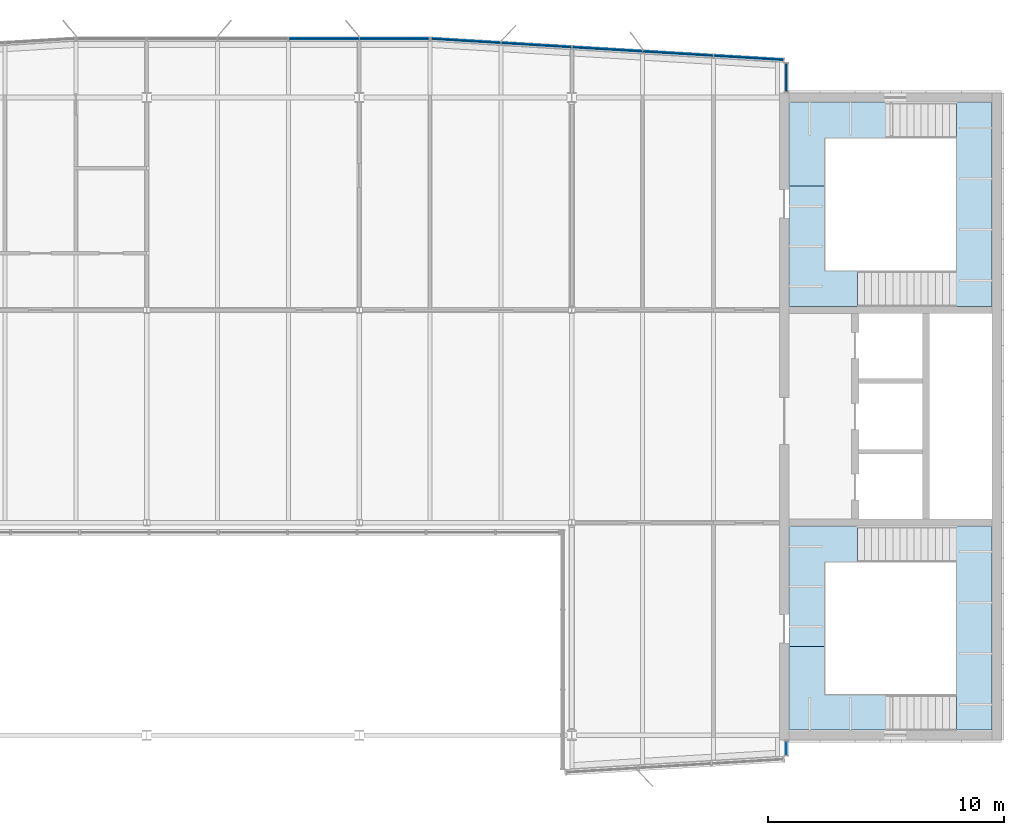
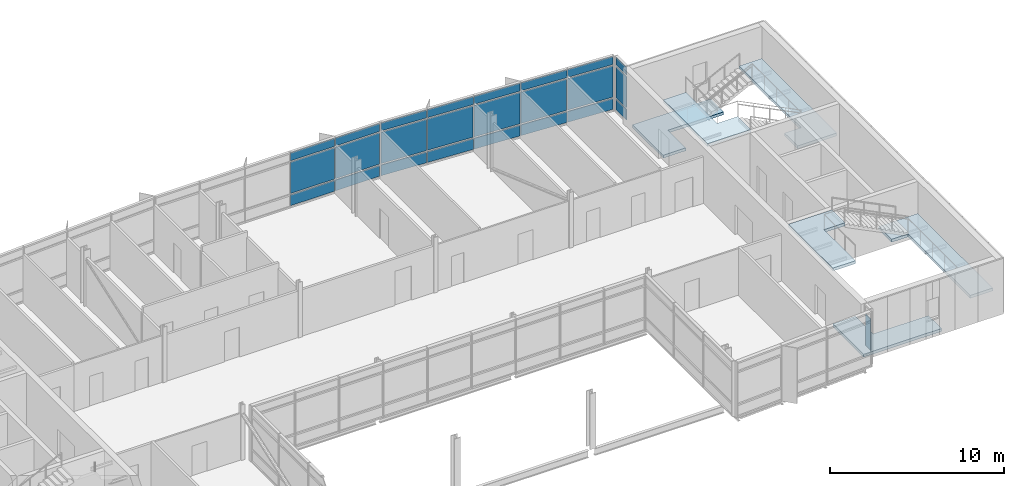
# One storey, part 13 of 20: 25 plates, 6 slabs, 6 elements without a shape of their own.
"""IFC4 building model written with IfcOpenShell, lengths in metres."""

import ifcopenshell
import ifcopenshell.guid

model = None  # the IFC model being written
_history = None  # IfcOwnerHistory: only IFC2X3 demands one
_inside = {}  # id of a spatial element -> (the spatial element, [elements in it])
_under = {}  # id of a project, library or spatial element -> (it, [spatial elements below it])
_declared = {}  # id of a project -> (the project, [libraries it declares])
_typed = {}  # id of a type object -> (the type object, [elements of that type])
_made_of = {}  # id of a material, layer set ... -> (it, [elements and type objects made of it])


def new_model(schema):
    """Start an empty IFC model of exactly this schema.

    Asked for "IFC4X3", IfcOpenShell would pick the latest addendum, in which some entities
    have other attributes; the version numbers below select the first issue.
    IFC2X3 requires an IfcOwnerHistory on every rooted entity: one is made here for all.
    """
    global model, _history
    if schema == "IFC4X3":
        model = ifcopenshell.file(schema_version=(4, 3, 0, 0))
    else:
        model = ifcopenshell.file(schema=schema)
    _inside.clear()
    _under.clear()
    _declared.clear()
    _typed.clear()
    _made_of.clear()
    _history = None
    if model.schema == "IFC2X3":
        org = make("IfcOrganization", Name="unknown")
        user = make(
            "IfcPersonAndOrganization",
            ThePerson=make("IfcPerson", FamilyName="unknown"),
            TheOrganization=org,
        )
        app = make(
            "IfcApplication",
            ApplicationDeveloper=org,
            Version="unknown",
            ApplicationFullName="unknown",
            ApplicationIdentifier="unknown",
        )
        _history = make(
            "IfcOwnerHistory",
            OwningUser=user,
            OwningApplication=app,
            ChangeAction="ADDED",
            CreationDate=0,
        )
    return model


def make(cls, **values):
    """One entity of the class cls with the attributes given. An attribute that is None is left unset."""
    return model.create_entity(
        cls, **{name: value for name, value in values.items() if value is not None}
    )


def rooted(cls, **values):
    """An entity with a GlobalId (a new one), such as an element, a storey or a relation."""
    return make(cls, GlobalId=ifcopenshell.guid.new(), OwnerHistory=_history, **values)


def si_unit(unit_type, name, prefix=None):
    """IfcSIUnit, for example si_unit("LENGTHUNIT", "METRE", prefix="MILLI")."""
    return make("IfcSIUnit", UnitType=unit_type, Prefix=prefix, Name=name)


def assignment(units):
    """IfcUnitAssignment: the units of a project."""
    return None if units is None else make("IfcUnitAssignment", Units=units)


def point(xyz):
    """IfcCartesianPoint."""
    return None if xyz is None else make("IfcCartesianPoint", Coordinates=xyz)


def direction(xyz):
    """IfcDirection."""
    return None if xyz is None else make("IfcDirection", DirectionRatios=xyz)


def frame(location, z_axis=None, x_axis=None):
    """IfcAxis2Placement3D, a coordinate frame: its origin and axes. An axis left out is left unset."""
    return make(
        "IfcAxis2Placement3D",
        Location=point(location),
        Axis=direction(z_axis),
        RefDirection=direction(x_axis),
    )


def frame_2d(location, x_axis=None):
    """IfcAxis2Placement2D, a coordinate frame in the plane: its origin and x axis."""
    return make(
        "IfcAxis2Placement2D", Location=point(location), RefDirection=direction(x_axis)
    )


def origin():
    """The frame at (0, 0, 0) with its axes left unset."""
    return frame((0.0, 0.0, 0.0))


def origin_2d():
    """The frame at (0, 0) in the plane with its x axis left unset."""
    return frame_2d((0.0, 0.0))


def place(relative_to, where):
    """IfcLocalPlacement: puts the frame where relative to a parent placement (None: the world)."""
    return make(
        "IfcLocalPlacement", PlacementRelTo=relative_to, RelativePlacement=where
    )


def context(
    kind, dimensions, precision=None, world=None, true_north=None, identifier=None
):
    """IfcGeometricRepresentationContext, for example the 3D "Model" context."""
    return make(
        "IfcGeometricRepresentationContext",
        ContextIdentifier=identifier,
        ContextType=kind,
        CoordinateSpaceDimension=dimensions,
        Precision=precision,
        WorldCoordinateSystem=world,
        TrueNorth=true_north,
    )


def subcontext(parent, identifier, kind, view, scale=None):
    """IfcGeometricRepresentationSubContext, for example "Body" below "Model"."""
    return make(
        "IfcGeometricRepresentationSubContext",
        ContextIdentifier=identifier,
        ContextType=kind,
        ParentContext=parent,
        TargetScale=scale,
        TargetView=view,
    )


def project(units=None, contexts=None):
    """IfcProject with its units and contexts."""
    return rooted(
        "IfcProject",
        Name="project",
        RepresentationContexts=contexts,
        UnitsInContext=assignment(units),
    )


def spatial(cls, under=None, at=None, **own):
    """A site, building, storey or space (cls), placed at a placement, below another one or the project."""
    s = rooted(cls, ObjectPlacement=at, **own)
    if under is not None:
        _under.setdefault(under.id(), (under, []))[1].append(s)
    return s


def polyline(points):
    """IfcPolyline through the points."""
    return make("IfcPolyline", Points=[point(p) for p in points])


def profile(cls, at=None, kind="AREA", **sizes):
    """A parametric profile (cls). Its sizes go by their IFC names, for example OverallWidth=200.0."""
    return make(cls, ProfileType=kind, Position=at, **sizes)


def rectangle(**sizes):
    """IfcRectangleProfileDef."""
    return profile("IfcRectangleProfileDef", **sizes)


def outline(outer, holes=None, kind="AREA"):
    """IfcArbitraryClosedProfileDef: a profile drawn as a closed curve; with holes, ...WithVoids."""
    if holes is None:
        return make("IfcArbitraryClosedProfileDef", ProfileType=kind, OuterCurve=outer)
    return make(
        "IfcArbitraryProfileDefWithVoids",
        ProfileType=kind,
        OuterCurve=outer,
        InnerCurves=holes,
    )


def extrude(swept, where, along, depth):
    """IfcExtrudedAreaSolid: the profile swept, set in the frame where, extruded along a direction by depth."""
    return make(
        "IfcExtrudedAreaSolid",
        SweptArea=swept,
        Position=where,
        ExtrudedDirection=direction(along),
        Depth=depth,
    )


def shape(context_of_items, identifier, shape_type, items):
    """IfcShapeRepresentation: the items that make up one representation, for example the "Body"."""
    return make(
        "IfcShapeRepresentation",
        ContextOfItems=context_of_items,
        RepresentationIdentifier=identifier,
        RepresentationType=shape_type,
        Items=items,
    )


def material(Name=None, Category=None):
    """IfcMaterial."""
    return make("IfcMaterial", Name=Name, Category=Category)


def layer(
    of_material, thickness, ventilated=None, Name=None, Category=None, Priority=None
):
    """IfcMaterialLayer: one layer of a wall or slab, of a material (None: an air gap)."""
    return make(
        "IfcMaterialLayer",
        Material=of_material,
        LayerThickness=thickness,
        IsVentilated=ventilated,
        Name=Name,
        Category=Category,
        Priority=Priority,
    )


def layer_set(layers, Name=None):
    """IfcMaterialLayerSet."""
    return make("IfcMaterialLayerSet", MaterialLayers=layers, LayerSetName=Name)


def made_of(thing, what):
    """Note that an element or type object is made of a material, layer set ...; save() writes the relation."""
    if what is not None:
        _made_of.setdefault(what.id(), (what, []))[1].append(thing)
    return thing


def type_object(cls, material=None, **own):
    """A type object (cls), such as IfcWallType, which elements share."""
    return made_of(rooted(cls, **own), material)


def element(
    cls,
    number,
    at=None,
    inside=None,
    cuts=None,
    type_object=None,
    material=None,
    context=None,
    identifier="Body",
    shape_type=None,
    held_by="IfcProductDefinitionShape",
    body=None,
    shapes=None,
    **own,
):
    """One element of the class cls, such as IfcWall. Its Tag is "e" and its number.

    at: its placement. inside: the storey or other place that contains it. cuts: it is an
    opening in that element (IfcRelVoidsElement). A single representation is given by context,
    identifier, shape_type and body (its items); several are given by shapes. held_by: the class
    of the entity that holds the representations. save() writes the other relations.
    """
    e = rooted(cls, Tag="e%d" % number, ObjectPlacement=at, **own)
    if body is not None:
        shapes = [shape(context, identifier, shape_type, body)]
    if shapes is not None:
        e.Representation = make(held_by, Representations=shapes)
    if inside is not None:
        _inside.setdefault(inside.id(), (inside, []))[1].append(e)
    if cuts is not None:
        rooted(
            "IfcRelVoidsElement", RelatingBuildingElement=cuts, RelatedOpeningElement=e
        )
    if type_object is not None:
        _typed.setdefault(type_object.id(), (type_object, []))[1].append(e)
    return made_of(e, material)


def aggregate(whole, parts):
    """IfcRelAggregates: a whole, such as a stair, and the parts it consists of."""
    return rooted("IfcRelAggregates", RelatingObject=whole, RelatedObjects=parts)


def save(model, path):
    """Write the relations noted so far, then the file.

    IfcRelAggregates (storeys below a building ...), IfcRelContainedInSpatialStructure (elements
    in a storey), IfcRelDefinesByType, IfcRelAssociatesMaterial and IfcRelDeclares: one each for
    every whole, place, type object, material and project.
    """
    for whole, parts in _under.values():
        aggregate(whole, parts)
    for where, things in _inside.values():
        rooted(
            "IfcRelContainedInSpatialStructure",
            RelatedElements=things,
            RelatingStructure=where,
        )
    for kind, things in _typed.values():
        rooted("IfcRelDefinesByType", RelatedObjects=things, RelatingType=kind)
    for what, things in _made_of.values():
        rooted("IfcRelAssociatesMaterial", RelatedObjects=things, RelatingMaterial=what)
    for by, libraries in _declared.values():
        rooted("IfcRelDeclares", RelatingContext=by, RelatedDefinitions=libraries)
    model.write(path)


model = new_model("IFC4")

# Units and contexts
model_context = context("Model", 3, precision=1e-05, world=origin(), true_north=direction((0.0, 1.0)))
body_context = subcontext(model_context, "Body", "Model", "MODEL_VIEW")
ifc_project = project(units=[si_unit("LENGTHUNIT", "METRE"), si_unit("AREAUNIT", "SQUARE_METRE"), si_unit("VOLUMEUNIT", "CUBIC_METRE"), si_unit("PLANEANGLEUNIT", "RADIAN"), si_unit("MASSUNIT", "GRAM", prefix="KILO")], contexts=[model_context])

# Site, building, storey
site_placement = place(None, origin())
site = spatial("IfcSite", under=ifc_project, at=site_placement, CompositionType="ELEMENT")
building_placement = place(site_placement, origin())
building = spatial("IfcBuilding", under=site, at=building_placement, Name="Azimuth Sports and Learning Centre", CompositionType="ELEMENT")
storey_placement = place(building_placement, frame((0.0, 0.0, 71.39990234375)))
storey = spatial("IfcBuildingStorey", under=building, at=storey_placement, Name="L16", CompositionType="ELEMENT", Elevation=71.39990234375)

# Stair, slabs
ifc_material_1 = material(Name="Concrete C32/40", Category="concrete")
stair_type = type_object("IfcStairType", Name="Square-well stair core 3900 storey", PredefinedType="THREE_QUARTER_TURN_STAIR", material=ifc_material_1)
stair_1_placement = place(storey_placement, origin())
stair_1 = element("IfcStair", 1, at=stair_1_placement, inside=storey, type_object=stair_type, Name="Stair E1 L16-L17", PredefinedType="THREE_QUARTER_TURN_STAIR")
ifc_material_2 = material(Name="Concrete C32/40", Category="concrete")
ifc_layer_1 = layer(ifc_material_2, 0.199951171875)
ifc_layer_set_1 = layer_set([ifc_layer_1], Name="Concrete C32/40")
slab_type = type_object("IfcSlabType", Name="Concrete stair landing", PredefinedType="LANDING", material=ifc_layer_set_1)
slab_1_placement = place(storey_placement, frame((0.0, 0.0, -0.199951171875)))
slab_1 = element("IfcSlab", 2, at=slab_1_placement, type_object=slab_type, Name="Stair E1 L16 landing 1", PredefinedType="LANDING", context=body_context, shape_type="SweptSolid", body=[
    extrude(outline(polyline([(113.389892578125, 91.7099609375), (109.7099609375, 91.7099609375), (109.7099609375, 93.75), (108.2099609375, 93.75), (108.2099609375, 90.2099609375), (113.389892578125, 90.2099609375), (113.389892578125, 91.7099609375)])), origin(), (0.0, 0.0, 1.0), 0.199951171875),
])
slab_2_placement = place(storey_placement, frame((0.0, 0.0, 1.4501953125)))
slab_2 = element("IfcSlab", 3, at=slab_2_placement, type_object=slab_type, Name="Stair E1 L16 landing 2", PredefinedType="LANDING", context=body_context, shape_type="SweptSolid", body=[
    extrude(outline(polyline([(115.2900390625, 91.7099609375), (115.289306640625, 91.7099609375), (115.289306640625, 90.2099609375), (116.7900390625, 90.2099609375), (116.7900390625, 98.840087890625), (114.18994140625, 98.840087890625), (114.18994140625, 97.340087890625), (115.2900390625, 97.340087890625), (115.2900390625, 91.7099609375)])), origin(), (0.0, 0.0, 1.0), 0.199951171875),
])
slab_3_placement = place(storey_placement, frame((0.0, 0.0, 3.7001953125)))
slab_3 = element("IfcSlab", 4, at=slab_3_placement, type_object=slab_type, Name="Stair E1 L16 landing 3", PredefinedType="LANDING", context=body_context, shape_type="SweptSolid", body=[
    extrude(outline(polyline([(109.7099609375, 97.340087890625), (111.0908203125, 97.340087890625), (111.0908203125, 98.840087890625), (108.2099609375, 98.840087890625), (108.2099609375, 93.75), (109.7099609375, 93.75), (109.7099609375, 97.340087890625)])), origin(), (0.0, 0.0, 1.0), 0.199951171875),
])
aggregate(stair_1, [slab_1, slab_2, slab_3])

stair_2_placement = place(storey_placement, origin())
stair_2 = element("IfcStair", 5, at=stair_2_placement, inside=storey, type_object=stair_type, Name="Stair E2 L16-L17", PredefinedType="THREE_QUARTER_TURN_STAIR")
slab_4_placement = place(storey_placement, frame((0.0, 0.0, -0.199951171875)))
slab_4 = element("IfcSlab", 6, at=slab_4_placement, type_object=slab_type, Name="Stair E2 L16 landing 1", PredefinedType="LANDING", context=body_context, shape_type="SweptSolid", body=[
    extrude(outline(polyline([(108.2099609375, 116.7900390625), (108.2099609375, 113.25), (109.7099609375, 113.25), (109.7099609375, 115.2900390625), (113.389892578125, 115.2900390625), (113.389892578125, 116.7900390625), (108.2099609375, 116.7900390625)])), origin(), (0.0, 0.0, 1.0), 0.199951171875),
])
slab_5_placement = place(storey_placement, frame((0.0, 0.0, 1.4501953125)))
slab_5 = element("IfcSlab", 7, at=slab_5_placement, type_object=slab_type, Name="Stair E2 L16 landing 2", PredefinedType="LANDING", context=body_context, shape_type="SweptSolid", body=[
    extrude(outline(polyline([(115.2900390625, 115.2900390625), (115.2900390625, 109.659912109375), (114.18994140625, 109.659912109375), (114.18994140625, 108.159912109375), (116.7900390625, 108.159912109375), (116.7900390625, 116.7900390625), (115.289306640625, 116.7900390625), (115.289306640625, 115.2900390625), (115.2900390625, 115.2900390625)])), origin(), (0.0, 0.0, 1.0), 0.199951171875),
])
slab_6_placement = place(storey_placement, frame((0.0, 0.0, 3.7001953125)))
slab_6 = element("IfcSlab", 8, at=slab_6_placement, type_object=slab_type, Name="Stair E2 L16 landing 3", PredefinedType="LANDING", context=body_context, shape_type="SweptSolid", body=[
    extrude(outline(polyline([(109.7099609375, 109.659912109375), (109.7099609375, 113.25), (108.2099609375, 113.25), (108.2099609375, 108.159912109375), (111.0908203125, 108.159912109375), (111.0908203125, 109.659912109375), (109.7099609375, 109.659912109375)])), origin(), (0.0, 0.0, 1.0), 0.199951171875),
])
aggregate(stair_2, [slab_4, slab_5, slab_6])

# Curtain wall, plates
ifc_material_3 = material(Name="Aluminium and glass", Category="aluminium")
curtain_wall_type_1 = type_object("IfcCurtainWallType", Name="Curtain wall tower return 180", PredefinedType="NOTDEFINED", material=ifc_material_3)
curtain_wall_1_placement = place(storey_placement, origin())
curtain_wall_1 = element("IfcCurtainWall", 9, at=curtain_wall_1_placement, inside=storey, type_object=curtain_wall_type_1, Name="Curtain wall CW16-008", PredefinedType="NOTDEFINED")
ifc_material_4 = material(Name="Insulated aluminium panel", Category="aluminium")
ifc_layer_2 = layer(ifc_material_4, 0.050048828125)
ifc_layer_set_2 = layer_set([ifc_layer_2], Name="Insulated aluminium panel")
plate_type_1 = type_object("IfcPlateType", Name="Spandrel panel 50 mm", PredefinedType="CURTAIN_PANEL", material=ifc_layer_set_2)
plate_1_placement = place(storey_placement, frame((108.090087890625, 117.85009765625, 0.10009765625), z_axis=(0.0, 0.0, 1.0), x_axis=(0.0, 1.0, 0.0)))
plate_1 = element("IfcPlate", 10, at=plate_1_placement, type_object=plate_type_1, Name="CW16-008 panel 1.1", PredefinedType="CURTAIN_PANEL", context=body_context, shape_type="SweptSolid", body=[
    extrude(rectangle(XDim=1.179931640625, YDim=0.050048828125, at=origin_2d()), origin(), (0.0, 0.0, 1.0), 0.75),
])
plate_2_placement = place(storey_placement, frame((108.090087890625, 117.85009765625, 3.25), z_axis=(0.0, 0.0, 1.0), x_axis=(0.0, 1.0, 0.0)))
plate_2 = element("IfcPlate", 11, at=plate_2_placement, type_object=plate_type_1, Name="CW16-008 panel 1.3", PredefinedType="CURTAIN_PANEL", context=body_context, shape_type="SweptSolid", body=[
    extrude(rectangle(XDim=1.179931640625, YDim=0.050048828125, at=origin_2d()), origin(), (0.0, 0.0, 1.0), 0.550048828125),
])

ifc_material_5 = material(Name="Aluminium and glass", Category="aluminium")
curtain_wall_type_2 = type_object("IfcCurtainWallType", Name="Curtain wall tower north 180", PredefinedType="NOTDEFINED", material=ifc_material_5)
curtain_wall_2_placement = place(storey_placement, origin())
curtain_wall_2 = element("IfcCurtainWall", 12, at=curtain_wall_2_placement, inside=storey, type_object=curtain_wall_type_2, Name="Curtain wall CW16-009", PredefinedType="NOTDEFINED")
plate_3_placement = place(storey_placement, frame((106.490478515625, 118.6806640625, 0.10009765625), z_axis=(0.0, 0.0, 1.0), x_axis=(-0.998204863401, 0.059891991812, 0.0)))
plate_3 = element("IfcPlate", 13, at=plate_3_placement, type_object=plate_type_1, Name="CW16-009 panel 1.1", PredefinedType="CURTAIN_PANEL", context=body_context, shape_type="SweptSolid", body=[
    extrude(rectangle(XDim=2.915283203125, YDim=0.050048828125, at=origin_2d()), origin(), (0.0, 0.0, 1.0), 0.75),
])
plate_4_placement = place(storey_placement, frame((106.490478515625, 118.6806640625, 3.25), z_axis=(0.0, 0.0, 1.0), x_axis=(-0.998204863401, 0.059891991812, 0.0)))
plate_4 = element("IfcPlate", 14, at=plate_4_placement, type_object=plate_type_1, Name="CW16-009 panel 1.3", PredefinedType="CURTAIN_PANEL", context=body_context, shape_type="SweptSolid", body=[
    extrude(rectangle(XDim=2.915283203125, YDim=0.050048828125, at=origin_2d()), origin(), (0.0, 0.0, 1.0), 0.550048828125),
])
plate_5_placement = place(storey_placement, frame((103.50537109375, 118.85986328125, 0.10009765625), z_axis=(0.0, 0.0, 1.0), x_axis=(-0.998204863401, 0.059891991812, 0.0)))
plate_5 = element("IfcPlate", 15, at=plate_5_placement, type_object=plate_type_1, Name="CW16-009 panel 2.1", PredefinedType="CURTAIN_PANEL", context=body_context, shape_type="SweptSolid", body=[
    extrude(rectangle(XDim=2.9453125, YDim=0.050048828125, at=origin_2d()), origin(), (0.0, 0.0, 1.0), 0.75),
])
plate_6_placement = place(storey_placement, frame((103.50537109375, 118.85986328125, 3.25), z_axis=(0.0, 0.0, 1.0), x_axis=(-0.998204863401, 0.059891991812, 0.0)))
plate_6 = element("IfcPlate", 16, at=plate_6_placement, type_object=plate_type_1, Name="CW16-009 panel 2.3", PredefinedType="CURTAIN_PANEL", context=body_context, shape_type="SweptSolid", body=[
    extrude(rectangle(XDim=2.9453125, YDim=0.050048828125, at=origin_2d()), origin(), (0.0, 0.0, 1.0), 0.550048828125),
])
plate_7_placement = place(storey_placement, frame((100.50537109375, 119.039794921875, 0.10009765625), z_axis=(0.0, 0.0, 1.0), x_axis=(-0.998204863401, 0.059891991812, 0.0)))
plate_7 = element("IfcPlate", 17, at=plate_7_placement, type_object=plate_type_1, Name="CW16-009 panel 3.1", PredefinedType="CURTAIN_PANEL", context=body_context, shape_type="SweptSolid", body=[
    extrude(rectangle(XDim=2.9453125, YDim=0.050048828125, at=origin_2d()), origin(), (0.0, 0.0, 1.0), 0.75),
])
plate_8_placement = place(storey_placement, frame((100.50537109375, 119.039794921875, 3.25), z_axis=(0.0, 0.0, 1.0), x_axis=(-0.998204863401, 0.059891991812, 0.0)))
plate_8 = element("IfcPlate", 18, at=plate_8_placement, type_object=plate_type_1, Name="CW16-009 panel 3.3", PredefinedType="CURTAIN_PANEL", context=body_context, shape_type="SweptSolid", body=[
    extrude(rectangle(XDim=2.9453125, YDim=0.050048828125, at=origin_2d()), origin(), (0.0, 0.0, 1.0), 0.550048828125),
])
plate_9_placement = place(storey_placement, frame((97.50537109375, 119.2197265625, 0.10009765625), z_axis=(0.0, 0.0, 1.0), x_axis=(-0.998204863401, 0.059891991812, 0.0)))
plate_9 = element("IfcPlate", 19, at=plate_9_placement, type_object=plate_type_1, Name="CW16-009 panel 4.1", PredefinedType="CURTAIN_PANEL", context=body_context, shape_type="SweptSolid", body=[
    extrude(rectangle(XDim=2.9453125, YDim=0.050048828125, at=origin_2d()), origin(), (0.0, 0.0, 1.0), 0.75),
])
plate_10_placement = place(storey_placement, frame((97.50537109375, 119.2197265625, 3.25), z_axis=(0.0, 0.0, 1.0), x_axis=(-0.998204863401, 0.059891991812, 0.0)))
plate_10 = element("IfcPlate", 20, at=plate_10_placement, type_object=plate_type_1, Name="CW16-009 panel 4.3", PredefinedType="CURTAIN_PANEL", context=body_context, shape_type="SweptSolid", body=[
    extrude(rectangle(XDim=2.9453125, YDim=0.050048828125, at=origin_2d()), origin(), (0.0, 0.0, 1.0), 0.550048828125),
])
plate_11_placement = place(storey_placement, frame((94.520263671875, 119.39892578125, 0.10009765625), z_axis=(0.0, 0.0, 1.0), x_axis=(-0.998204863401, 0.059891991812, 0.0)))
plate_11 = element("IfcPlate", 21, at=plate_11_placement, type_object=plate_type_1, Name="CW16-009 panel 5.1", PredefinedType="CURTAIN_PANEL", context=body_context, shape_type="SweptSolid", body=[
    extrude(rectangle(XDim=2.915283203125, YDim=0.050048828125, at=origin_2d()), origin(), (0.0, 0.0, 1.0), 0.75),
])
plate_12_placement = place(storey_placement, frame((94.520263671875, 119.39892578125, 3.25), z_axis=(0.0, 0.0, 1.0), x_axis=(-0.998204863401, 0.059891991812, 0.0)))
plate_12 = element("IfcPlate", 22, at=plate_12_placement, type_object=plate_type_1, Name="CW16-009 panel 5.3", PredefinedType="CURTAIN_PANEL", context=body_context, shape_type="SweptSolid", body=[
    extrude(rectangle(XDim=2.915283203125, YDim=0.050048828125, at=origin_2d()), origin(), (0.0, 0.0, 1.0), 0.550048828125),
])

curtain_wall_3_placement = place(storey_placement, origin())
curtain_wall_3 = element("IfcCurtainWall", 23, at=curtain_wall_3_placement, inside=storey, type_object=curtain_wall_type_2, Name="Curtain wall CW16-010", PredefinedType="NOTDEFINED")
plate_13_placement = place(storey_placement, frame((91.48779296875, 119.489990234375, 0.10009765625), z_axis=(0.0, 0.0, 1.0), x_axis=(-1.0, 0.0, 0.0)))
plate_13 = element("IfcPlate", 24, at=plate_13_placement, type_object=plate_type_1, Name="CW16-010 panel 1.1", PredefinedType="CURTAIN_PANEL", context=body_context, shape_type="SweptSolid", body=[
    extrude(rectangle(XDim=2.915283203125, YDim=0.050048828125, at=origin_2d()), origin(), (0.0, 0.0, 1.0), 0.75),
])
plate_14_placement = place(storey_placement, frame((91.48779296875, 119.489990234375, 3.25), z_axis=(0.0, 0.0, 1.0), x_axis=(-1.0, 0.0, 0.0)))
plate_14 = element("IfcPlate", 25, at=plate_14_placement, type_object=plate_type_1, Name="CW16-010 panel 1.3", PredefinedType="CURTAIN_PANEL", context=body_context, shape_type="SweptSolid", body=[
    extrude(rectangle(XDim=2.915283203125, YDim=0.050048828125, at=origin_2d()), origin(), (0.0, 0.0, 1.0), 0.550048828125),
])
plate_15_placement = place(storey_placement, frame((88.5, 119.489990234375, 0.10009765625), z_axis=(0.0, 0.0, 1.0), x_axis=(-1.0, 0.0, 0.0)))
plate_15 = element("IfcPlate", 26, at=plate_15_placement, type_object=plate_type_1, Name="CW16-010 panel 2.1", PredefinedType="CURTAIN_PANEL", context=body_context, shape_type="SweptSolid", body=[
    extrude(rectangle(XDim=2.93994140625, YDim=0.050048828125, at=origin_2d()), origin(), (0.0, 0.0, 1.0), 0.75),
])
plate_16_placement = place(storey_placement, frame((88.5, 119.489990234375, 3.25), z_axis=(0.0, 0.0, 1.0), x_axis=(-1.0, 0.0, 0.0)))
plate_16 = element("IfcPlate", 27, at=plate_16_placement, type_object=plate_type_1, Name="CW16-010 panel 2.3", PredefinedType="CURTAIN_PANEL", context=body_context, shape_type="SweptSolid", body=[
    extrude(rectangle(XDim=2.93994140625, YDim=0.050048828125, at=origin_2d()), origin(), (0.0, 0.0, 1.0), 0.550048828125),
])

# Curtain wall, plate
curtain_wall_4_placement = place(storey_placement, origin())
curtain_wall_4 = element("IfcCurtainWall", 28, at=curtain_wall_4_placement, inside=storey, type_object=curtain_wall_type_1, Name="Curtain wall CW16-007", PredefinedType="NOTDEFINED")
ifc_material_6 = material(Name="Glass", Category="glass")
ifc_layer_3 = layer(ifc_material_6, 0.031982421875)
ifc_layer_set_3 = layer_set([ifc_layer_3], Name="Glass")
plate_type_2 = type_object("IfcPlateType", Name="Vision glass 32 mm", PredefinedType="CURTAIN_PANEL", material=ifc_layer_set_3)
plate_17_placement = place(storey_placement, frame((108.090087890625, 89.449951171875, 0.9501953125), z_axis=(0.0, 0.0, 1.0), x_axis=(0.0, 1.0, 0.0)))
plate_17 = element("IfcPlate", 29, at=plate_17_placement, type_object=plate_type_2, Name="CW16-007 panel 1.2", PredefinedType="CURTAIN_PANEL", context=body_context, shape_type="SweptSolid", body=[
    extrude(rectangle(XDim=0.580078125, YDim=0.031982421875, at=origin_2d()), origin(), (0.0, 0.0, 1.0), 2.199951171875),
])
aggregate(curtain_wall_4, [plate_17])

# Plate
plate_18_placement = place(storey_placement, frame((108.090087890625, 117.85009765625, 0.9501953125), z_axis=(0.0, 0.0, 1.0), x_axis=(0.0, 1.0, 0.0)))
plate_18 = element("IfcPlate", 30, at=plate_18_placement, type_object=plate_type_2, Name="CW16-008 panel 1.2", PredefinedType="CURTAIN_PANEL", context=body_context, shape_type="SweptSolid", body=[
    extrude(rectangle(XDim=1.179931640625, YDim=0.031982421875, at=origin_2d()), origin(), (0.0, 0.0, 1.0), 2.199951171875),
])

aggregate(curtain_wall_1, [plate_1, plate_18, plate_2])

plate_19_placement = place(storey_placement, frame((106.490478515625, 118.6806640625, 0.9501953125), z_axis=(0.0, 0.0, 1.0), x_axis=(-0.998204863401, 0.059891991812, 0.0)))
plate_19 = element("IfcPlate", 31, at=plate_19_placement, type_object=plate_type_2, Name="CW16-009 panel 1.2", PredefinedType="CURTAIN_PANEL", context=body_context, shape_type="SweptSolid", body=[
    extrude(rectangle(XDim=2.915283203125, YDim=0.031982421875, at=origin_2d()), origin(), (0.0, 0.0, 1.0), 2.199951171875),
])

plate_20_placement = place(storey_placement, frame((103.50537109375, 118.85986328125, 0.9501953125), z_axis=(0.0, 0.0, 1.0), x_axis=(-0.998204863401, 0.059891991812, 0.0)))
plate_20 = element("IfcPlate", 32, at=plate_20_placement, type_object=plate_type_2, Name="CW16-009 panel 2.2", PredefinedType="CURTAIN_PANEL", context=body_context, shape_type="SweptSolid", body=[
    extrude(rectangle(XDim=2.9453125, YDim=0.031982421875, at=origin_2d()), origin(), (0.0, 0.0, 1.0), 2.199951171875),
])

plate_21_placement = place(storey_placement, frame((100.50537109375, 119.039794921875, 0.9501953125), z_axis=(0.0, 0.0, 1.0), x_axis=(-0.998204863401, 0.059891991812, 0.0)))
plate_21 = element("IfcPlate", 33, at=plate_21_placement, type_object=plate_type_2, Name="CW16-009 panel 3.2", PredefinedType="CURTAIN_PANEL", context=body_context, shape_type="SweptSolid", body=[
    extrude(rectangle(XDim=2.9453125, YDim=0.031982421875, at=origin_2d()), origin(), (0.0, 0.0, 1.0), 2.199951171875),
])

plate_22_placement = place(storey_placement, frame((97.50537109375, 119.2197265625, 0.9501953125), z_axis=(0.0, 0.0, 1.0), x_axis=(-0.998204863401, 0.059891991812, 0.0)))
plate_22 = element("IfcPlate", 34, at=plate_22_placement, type_object=plate_type_2, Name="CW16-009 panel 4.2", PredefinedType="CURTAIN_PANEL", context=body_context, shape_type="SweptSolid", body=[
    extrude(rectangle(XDim=2.9453125, YDim=0.031982421875, at=origin_2d()), origin(), (0.0, 0.0, 1.0), 2.199951171875),
])

plate_23_placement = place(storey_placement, frame((94.520263671875, 119.39892578125, 0.9501953125), z_axis=(0.0, 0.0, 1.0), x_axis=(-0.998204863401, 0.059891991812, 0.0)))
plate_23 = element("IfcPlate", 35, at=plate_23_placement, type_object=plate_type_2, Name="CW16-009 panel 5.2", PredefinedType="CURTAIN_PANEL", context=body_context, shape_type="SweptSolid", body=[
    extrude(rectangle(XDim=2.915283203125, YDim=0.031982421875, at=origin_2d()), origin(), (0.0, 0.0, 1.0), 2.199951171875),
])

aggregate(curtain_wall_2, [plate_3, plate_19, plate_4, plate_5, plate_20, plate_6, plate_7, plate_21, plate_8, plate_9, plate_22, plate_10, plate_11, plate_23, plate_12])

plate_24_placement = place(storey_placement, frame((91.48779296875, 119.489990234375, 0.9501953125), z_axis=(0.0, 0.0, 1.0), x_axis=(-1.0, 0.0, 0.0)))
plate_24 = element("IfcPlate", 36, at=plate_24_placement, type_object=plate_type_2, Name="CW16-010 panel 1.2", PredefinedType="CURTAIN_PANEL", context=body_context, shape_type="SweptSolid", body=[
    extrude(rectangle(XDim=2.915283203125, YDim=0.031982421875, at=origin_2d()), origin(), (0.0, 0.0, 1.0), 2.199951171875),
])

plate_25_placement = place(storey_placement, frame((88.5, 119.489990234375, 0.9501953125), z_axis=(0.0, 0.0, 1.0), x_axis=(-1.0, 0.0, 0.0)))
plate_25 = element("IfcPlate", 37, at=plate_25_placement, type_object=plate_type_2, Name="CW16-010 panel 2.2", PredefinedType="CURTAIN_PANEL", context=body_context, shape_type="SweptSolid", body=[
    extrude(rectangle(XDim=2.93994140625, YDim=0.031982421875, at=origin_2d()), origin(), (0.0, 0.0, 1.0), 2.199951171875),
])

aggregate(curtain_wall_3, [plate_13, plate_24, plate_14, plate_15, plate_25, plate_16])

save(model, "model.ifc")
